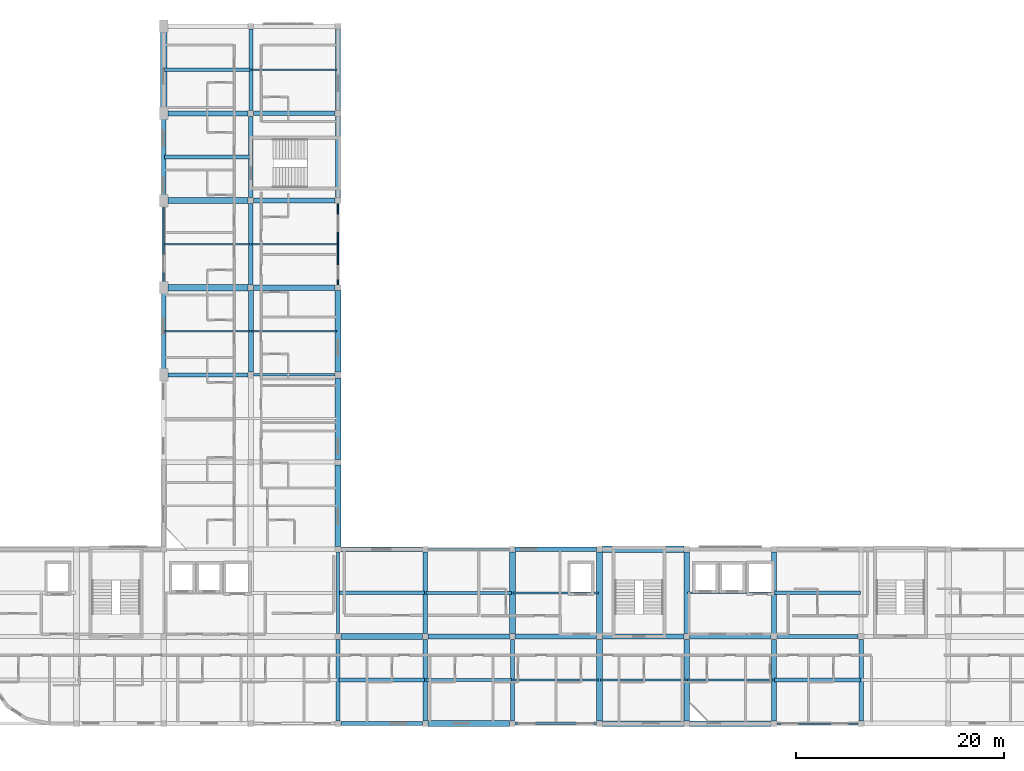
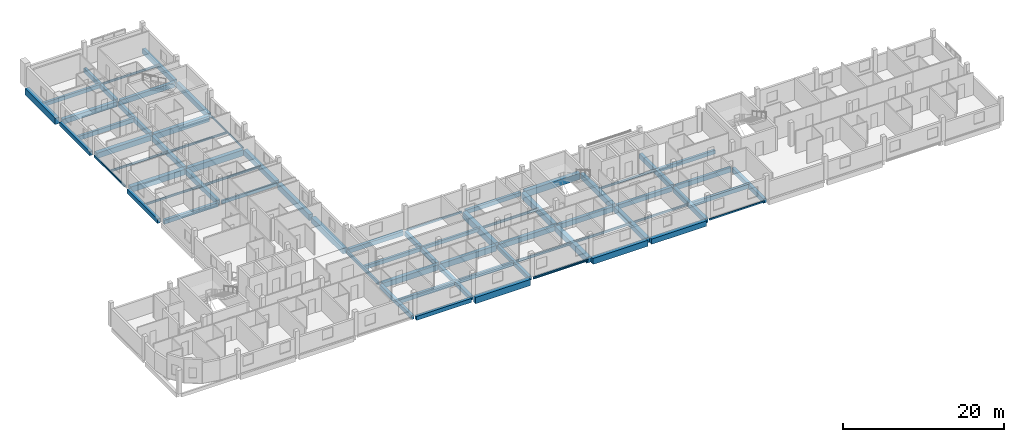
# One storey, part 3 of 20: 69 beams.
"""IFC4 building model written with IfcOpenShell, lengths in metres."""

import ifcopenshell
import ifcopenshell.guid

model = None  # the IFC model being written
_history = None  # IfcOwnerHistory: only IFC2X3 demands one
_inside = {}  # id of a spatial element -> (the spatial element, [elements in it])
_under = {}  # id of a project, library or spatial element -> (it, [spatial elements below it])
_declared = {}  # id of a project -> (the project, [libraries it declares])
_typed = {}  # id of a type object -> (the type object, [elements of that type])
_made_of = {}  # id of a material, layer set ... -> (it, [elements and type objects made of it])


def new_model(schema):
    """Start an empty IFC model of exactly this schema.

    Asked for "IFC4X3", IfcOpenShell would pick the latest addendum, in which some entities
    have other attributes; the version numbers below select the first issue.
    IFC2X3 requires an IfcOwnerHistory on every rooted entity: one is made here for all.
    """
    global model, _history
    if schema == "IFC4X3":
        model = ifcopenshell.file(schema_version=(4, 3, 0, 0))
    else:
        model = ifcopenshell.file(schema=schema)
    _inside.clear()
    _under.clear()
    _declared.clear()
    _typed.clear()
    _made_of.clear()
    _history = None
    if model.schema == "IFC2X3":
        org = make("IfcOrganization", Name="unknown")
        user = make(
            "IfcPersonAndOrganization",
            ThePerson=make("IfcPerson", FamilyName="unknown"),
            TheOrganization=org,
        )
        app = make(
            "IfcApplication",
            ApplicationDeveloper=org,
            Version="unknown",
            ApplicationFullName="unknown",
            ApplicationIdentifier="unknown",
        )
        _history = make(
            "IfcOwnerHistory",
            OwningUser=user,
            OwningApplication=app,
            ChangeAction="ADDED",
            CreationDate=0,
        )
    return model


def make(cls, **values):
    """One entity of the class cls with the attributes given. An attribute that is None is left unset."""
    return model.create_entity(
        cls, **{name: value for name, value in values.items() if value is not None}
    )


def rooted(cls, **values):
    """An entity with a GlobalId (a new one), such as an element, a storey or a relation."""
    return make(cls, GlobalId=ifcopenshell.guid.new(), OwnerHistory=_history, **values)


def si_unit(unit_type, name, prefix=None):
    """IfcSIUnit, for example si_unit("LENGTHUNIT", "METRE", prefix="MILLI")."""
    return make("IfcSIUnit", UnitType=unit_type, Prefix=prefix, Name=name)


def derived_unit(unit_type, elements):
    """IfcDerivedUnit: a product of units, each with its exponent."""
    return make(
        "IfcDerivedUnit",
        Elements=[
            make("IfcDerivedUnitElement", Unit=unit, Exponent=power)
            for unit, power in elements
        ],
        UnitType=unit_type,
    )


def assignment(units):
    """IfcUnitAssignment: the units of a project."""
    return None if units is None else make("IfcUnitAssignment", Units=units)


def point(xyz):
    """IfcCartesianPoint."""
    return None if xyz is None else make("IfcCartesianPoint", Coordinates=xyz)


def direction(xyz):
    """IfcDirection."""
    return None if xyz is None else make("IfcDirection", DirectionRatios=xyz)


def frame(location, z_axis=None, x_axis=None):
    """IfcAxis2Placement3D, a coordinate frame: its origin and axes. An axis left out is left unset."""
    return make(
        "IfcAxis2Placement3D",
        Location=point(location),
        Axis=direction(z_axis),
        RefDirection=direction(x_axis),
    )


def frame_2d(location, x_axis=None):
    """IfcAxis2Placement2D, a coordinate frame in the plane: its origin and x axis."""
    return make(
        "IfcAxis2Placement2D", Location=point(location), RefDirection=direction(x_axis)
    )


def origin():
    """The frame at (0, 0, 0) with its axes left unset."""
    return frame((0.0, 0.0, 0.0))


def origin_2d():
    """The frame at (0, 0) in the plane with its x axis left unset."""
    return frame_2d((0.0, 0.0))


def place(relative_to, where):
    """IfcLocalPlacement: puts the frame where relative to a parent placement (None: the world)."""
    return make(
        "IfcLocalPlacement", PlacementRelTo=relative_to, RelativePlacement=where
    )


def context(
    kind, dimensions, precision=None, world=None, true_north=None, identifier=None
):
    """IfcGeometricRepresentationContext, for example the 3D "Model" context."""
    return make(
        "IfcGeometricRepresentationContext",
        ContextIdentifier=identifier,
        ContextType=kind,
        CoordinateSpaceDimension=dimensions,
        Precision=precision,
        WorldCoordinateSystem=world,
        TrueNorth=true_north,
    )


def subcontext(parent, identifier, kind, view, scale=None):
    """IfcGeometricRepresentationSubContext, for example "Body" below "Model"."""
    return make(
        "IfcGeometricRepresentationSubContext",
        ContextIdentifier=identifier,
        ContextType=kind,
        ParentContext=parent,
        TargetScale=scale,
        TargetView=view,
    )


def project(units=None, contexts=None):
    """IfcProject with its units and contexts."""
    return rooted(
        "IfcProject",
        Name="project",
        RepresentationContexts=contexts,
        UnitsInContext=assignment(units),
    )


def spatial(cls, under=None, at=None, **own):
    """A site, building, storey or space (cls), placed at a placement, below another one or the project."""
    s = rooted(cls, ObjectPlacement=at, **own)
    if under is not None:
        _under.setdefault(under.id(), (under, []))[1].append(s)
    return s


def profile(cls, at=None, kind="AREA", **sizes):
    """A parametric profile (cls). Its sizes go by their IFC names, for example OverallWidth=200.0."""
    return make(cls, ProfileType=kind, Position=at, **sizes)


def rectangle(**sizes):
    """IfcRectangleProfileDef."""
    return profile("IfcRectangleProfileDef", **sizes)


def hollow_rectangle(**sizes):
    """IfcRectangleHollowProfileDef."""
    return profile("IfcRectangleHollowProfileDef", **sizes)


def i_section(**sizes):
    """IfcIShapeProfileDef."""
    return profile("IfcIShapeProfileDef", **sizes)


def extrude(swept, where, along, depth):
    """IfcExtrudedAreaSolid: the profile swept, set in the frame where, extruded along a direction by depth."""
    return make(
        "IfcExtrudedAreaSolid",
        SweptArea=swept,
        Position=where,
        ExtrudedDirection=direction(along),
        Depth=depth,
    )


def shape(context_of_items, identifier, shape_type, items):
    """IfcShapeRepresentation: the items that make up one representation, for example the "Body"."""
    return make(
        "IfcShapeRepresentation",
        ContextOfItems=context_of_items,
        RepresentationIdentifier=identifier,
        RepresentationType=shape_type,
        Items=items,
    )


def material(Name=None, Category=None):
    """IfcMaterial."""
    return make("IfcMaterial", Name=Name, Category=Category)


def material_profile(
    of_material, cross_section, Name=None, Category=None, Priority=None
):
    """IfcMaterialProfile: a cross section and its material."""
    return make(
        "IfcMaterialProfile",
        Name=Name,
        Material=of_material,
        Profile=cross_section,
        Priority=Priority,
        Category=Category,
    )


def profile_set(profiles, Name=None, composite=None):
    """IfcMaterialProfileSet."""
    return make(
        "IfcMaterialProfileSet",
        Name=Name,
        MaterialProfiles=profiles,
        CompositeProfile=composite,
    )


def made_of(thing, what):
    """Note that an element or type object is made of a material, layer set ...; save() writes the relation."""
    if what is not None:
        _made_of.setdefault(what.id(), (what, []))[1].append(thing)
    return thing


def type_object(cls, material=None, **own):
    """A type object (cls), such as IfcWallType, which elements share."""
    return made_of(rooted(cls, **own), material)


def element(
    cls,
    number,
    at=None,
    inside=None,
    cuts=None,
    type_object=None,
    material=None,
    context=None,
    identifier="Body",
    shape_type=None,
    held_by="IfcProductDefinitionShape",
    body=None,
    shapes=None,
    **own,
):
    """One element of the class cls, such as IfcWall. Its Tag is "e" and its number.

    at: its placement. inside: the storey or other place that contains it. cuts: it is an
    opening in that element (IfcRelVoidsElement). A single representation is given by context,
    identifier, shape_type and body (its items); several are given by shapes. held_by: the class
    of the entity that holds the representations. save() writes the other relations.
    """
    e = rooted(cls, Tag="e%d" % number, ObjectPlacement=at, **own)
    if body is not None:
        shapes = [shape(context, identifier, shape_type, body)]
    if shapes is not None:
        e.Representation = make(held_by, Representations=shapes)
    if inside is not None:
        _inside.setdefault(inside.id(), (inside, []))[1].append(e)
    if cuts is not None:
        rooted(
            "IfcRelVoidsElement", RelatingBuildingElement=cuts, RelatedOpeningElement=e
        )
    if type_object is not None:
        _typed.setdefault(type_object.id(), (type_object, []))[1].append(e)
    return made_of(e, material)


def aggregate(whole, parts):
    """IfcRelAggregates: a whole, such as a stair, and the parts it consists of."""
    return rooted("IfcRelAggregates", RelatingObject=whole, RelatedObjects=parts)


def save(model, path):
    """Write the relations noted so far, then the file.

    IfcRelAggregates (storeys below a building ...), IfcRelContainedInSpatialStructure (elements
    in a storey), IfcRelDefinesByType, IfcRelAssociatesMaterial and IfcRelDeclares: one each for
    every whole, place, type object, material and project.
    """
    for whole, parts in _under.values():
        aggregate(whole, parts)
    for where, things in _inside.values():
        rooted(
            "IfcRelContainedInSpatialStructure",
            RelatedElements=things,
            RelatingStructure=where,
        )
    for kind, things in _typed.values():
        rooted("IfcRelDefinesByType", RelatedObjects=things, RelatingType=kind)
    for what, things in _made_of.values():
        rooted("IfcRelAssociatesMaterial", RelatedObjects=things, RelatingMaterial=what)
    for by, libraries in _declared.values():
        rooted("IfcRelDeclares", RelatingContext=by, RelatedDefinitions=libraries)
    model.write(path)


model = new_model("IFC4")

# Units and contexts
model_context = context("Model", 3, precision=1e-05, world=origin(), true_north=direction((0.0, 1.0)))
body_context = subcontext(model_context, "Body", "Model", "MODEL_VIEW")
ifc_project = project(units=[si_unit("LENGTHUNIT", "METRE"), si_unit("AREAUNIT", "SQUARE_METRE"), si_unit("VOLUMEUNIT", "CUBIC_METRE"), si_unit("PLANEANGLEUNIT", "RADIAN"), si_unit("MASSUNIT", "GRAM", prefix="KILO"), derived_unit("THERMALTRANSMITTANCEUNIT", [(si_unit("POWERUNIT", "WATT"), 1), (si_unit("LENGTHUNIT", "METRE"), -2), (si_unit("THERMODYNAMICTEMPERATUREUNIT", "KELVIN"), -1)])], contexts=[model_context])

# Site, building, storey
site_placement = place(None, origin())
site = spatial("IfcSite", under=ifc_project, at=site_placement, CompositionType="ELEMENT")
building_placement = place(site_placement, origin())
building = spatial("IfcBuilding", under=site, at=building_placement, Name="Barrovel Congress Hotel", CompositionType="ELEMENT")
storey_placement = place(building_placement, frame((0.0, 0.0, 36.300048828125)))
storey = spatial("IfcBuildingStorey", under=building, at=storey_placement, Name="L09", CompositionType="ELEMENT", Elevation=36.300048828125)

# Beams
ifc_material_1 = material(Name="Concrete C40", Category="concrete")
ifc_material_profile_1 = material_profile(ifc_material_1, rectangle(XDim=0.25, YDim=0.5, at=origin_2d()), Name="RC250x500")
ifc_profile_set_1 = profile_set([ifc_material_profile_1], Name="Concrete C40")
beam_type_1 = type_object("IfcBeamType", Name="BM-RC250x500", PredefinedType="SPANDREL", material=ifc_profile_set_1)
for number, where, z_axis, x_axis, name in (
    (1, (42.27490234375, 37.800048828125, -0.469970703125), (1.0, 0.0, 0.0), (0.0, 1.0, 0.0), "BMX:L09:37.8:42.0-50.4"),
    (2, (50.39990234375, 12.875, -0.469970703125), (0.0, 1.0, 0.0), (-1.0, 0.0, 0.0), "BMY:L09:50.4:12.6-21.0"),
):
    element("IfcBeam", number, at=place(storey_placement, frame(where, z_axis=z_axis, x_axis=x_axis)), inside=storey, type_object=beam_type_1, Name=name, PredefinedType="SPANDREL", context=body_context, shape_type="SweptSolid", body=[
        extrude(rectangle(XDim=0.25, YDim=0.5, at=origin_2d()), origin(), (0.0, 0.0, 1.0), 7.85009765625),
    ])
ifc_material_profile_2 = material_profile(ifc_material_1, rectangle(XDim=0.300048828125, YDim=0.5, at=origin_2d()), Name="RC300x500")
ifc_profile_set_2 = profile_set([ifc_material_profile_2], Name="Concrete C40")
beam_type_2 = type_object("IfcBeamType", Name="BM-RC300x500", PredefinedType="JOIST", material=ifc_profile_set_2)
beam_1_placement = place(storey_placement, frame((58.8798828125, 16.800048828125, -0.469970703125), z_axis=(1.0, 0.0, 0.0), x_axis=(0.0, 1.0, 0.0)))
element("IfcBeam", 3, at=beam_1_placement, inside=storey, type_object=beam_type_2, Name="JST:L09:58.8:16.8", PredefinedType="JOIST", context=body_context, shape_type="SweptSolid", body=[
    extrude(rectangle(XDim=0.300048828125, YDim=0.5, at=origin_2d()), origin(), (0.0, 0.0, 1.0), 8.240234375),
])
ifc_material_profile_3 = material_profile(ifc_material_1, rectangle(XDim=0.300048828125, YDim=0.60009765625, at=origin_2d()), Name="RC300x600")
ifc_profile_set_3 = profile_set([ifc_material_profile_3], Name="Concrete C40")
beam_type_3 = type_object("IfcBeamType", Name="BM-RC300x600", PredefinedType="JOIST", material=ifc_profile_set_3)
beam_2_placement = place(storey_placement, frame((58.8798828125, 8.39990234375, -0.52001953125), z_axis=(1.0, 0.0, 0.0), x_axis=(0.0, 1.0, 0.0)))
element("IfcBeam", 4, at=beam_2_placement, inside=storey, type_object=beam_type_3, Name="JST:L09:58.8:8.4", PredefinedType="JOIST", context=body_context, shape_type="SweptSolid", body=[
    extrude(rectangle(XDim=0.300048828125, YDim=0.60009765625, at=origin_2d()), origin(), (0.0, 0.0, 1.0), 8.240234375),
])
ifc_material_profile_4 = material_profile(ifc_material_1, rectangle(XDim=0.35009765625, YDim=0.550048828125, at=origin_2d()), Name="RC350x550")
ifc_profile_set_4 = profile_set([ifc_material_profile_4], Name="Concrete C40")
beam_type_4 = type_object("IfcBeamType", Name="BM-RC350x550", PredefinedType="JOIST", material=ifc_profile_set_4)
for number, where, z_axis, x_axis, name in (
    (5, (33.679931640625, 67.199951171875, -0.4951171875), (1.0, 0.0, 0.0), (0.0, 1.0, 0.0), "JST:L09:33.6:67.2"),
    (6, (50.47998046875, 16.800048828125, -0.4951171875), (1.0, 0.0, 0.0), (0.0, 1.0, 0.0), "JST:L09:50.4:16.8"),
    (7, (92.47998046875, 16.800048828125, -0.4951171875), (1.0, 0.0, 0.0), (0.0, 1.0, 0.0), "JST:L09:92.4:16.8"),
):
    element("IfcBeam", number, at=place(storey_placement, frame(where, z_axis=z_axis, x_axis=x_axis)), inside=storey, type_object=beam_type_4, Name=name, PredefinedType="JOIST", context=body_context, shape_type="SweptSolid", body=[
        extrude(rectangle(XDim=0.35009765625, YDim=0.550048828125, at=origin_2d()), origin(), (0.0, 0.0, 1.0), 8.239990234375),
    ])
ifc_material_profile_5 = material_profile(ifc_material_1, rectangle(XDim=0.35009765625, YDim=0.64990234375, at=origin_2d()), Name="RC350x650")
ifc_profile_set_5 = profile_set([ifc_material_profile_5], Name="Concrete C40")
beam_type_5 = type_object("IfcBeamType", Name="BM-RC350x650", PredefinedType="JOIST", material=ifc_profile_set_5)
for number, where, z_axis, x_axis, name in (
    (8, (33.679931640625, 58.800048828125, -0.545166015625), (1.0, 0.0, 0.0), (0.0, 1.0, 0.0), "JST:L09:33.6:58.8"),
    (9, (50.47998046875, 8.39990234375, -0.545166015625), (1.0, 0.0, 0.0), (0.0, 1.0, 0.0), "JST:L09:50.4:8.4"),
    (10, (92.47998046875, 8.39990234375, -0.545166015625), (1.0, 0.0, 0.0), (0.0, 1.0, 0.0), "JST:L09:92.4:8.4"),
):
    element("IfcBeam", number, at=place(storey_placement, frame(where, z_axis=z_axis, x_axis=x_axis)), inside=storey, type_object=beam_type_5, Name=name, PredefinedType="JOIST", context=body_context, shape_type="SweptSolid", body=[
        extrude(rectangle(XDim=0.35009765625, YDim=0.64990234375, at=origin_2d()), origin(), (0.0, 0.0, 1.0), 8.239990234375),
    ])
ifc_material_profile_6 = material_profile(ifc_material_1, rectangle(XDim=0.39990234375, YDim=0.60009765625, at=origin_2d()), Name="RC400x600")
ifc_profile_set_6 = profile_set([ifc_material_profile_6], Name="Concrete C40")
beam_type_6 = type_object("IfcBeamType", Name="BM-RC400x600", PredefinedType="BEAM", material=ifc_profile_set_6)
for number, where, z_axis, x_axis, name in (
    (11, (50.675048828125, 4.199951171875, -0.52001953125), (1.0, 0.0, 0.0), (0.0, 1.0, 0.0), "BMX:L09:4.2:50.4-58.8"),
    (12, (67.47509765625, 21.0, -0.52001953125), (1.0, 0.0, 0.0), (0.0, 1.0, 0.0), "BMX:L09:21.0:67.2-75.6"),
):
    element("IfcBeam", number, at=place(storey_placement, frame(where, z_axis=z_axis, x_axis=x_axis)), inside=storey, type_object=beam_type_6, Name=name, PredefinedType="BEAM", context=body_context, shape_type="SweptSolid", body=[
        extrude(rectangle(XDim=0.39990234375, YDim=0.60009765625, at=origin_2d()), origin(), (0.0, 0.0, 1.0), 7.849853515625),
    ])
beam_3_placement = place(storey_placement, frame((34.0, 37.800048828125, -0.52001953125), z_axis=(1.0, 0.0, 0.0), x_axis=(0.0, 1.0, 0.0)))
element("IfcBeam", 13, at=beam_3_placement, inside=storey, type_object=beam_type_6, Name="BMX:L09:37.8:33.6-42.0", PredefinedType="BEAM", context=body_context, shape_type="SweptSolid", body=[
    extrude(rectangle(XDim=0.39990234375, YDim=0.60009765625, at=origin_2d()), origin(), (0.0, 0.0, 1.0), 7.72509765625),
])
beam_4_placement = place(storey_placement, frame((33.60009765625, 55.050048828125, -0.52001953125), z_axis=(0.0, 1.0, 0.0), x_axis=(-1.0, 0.0, 0.0)))
element("IfcBeam", 14, at=beam_4_placement, inside=storey, type_object=beam_type_6, Name="BMY:L09:33.6:54.6-63.0", PredefinedType="BEAM", context=body_context, shape_type="SweptSolid", body=[
    extrude(rectangle(XDim=0.39990234375, YDim=0.60009765625, at=origin_2d()), origin(), (0.0, 0.0, 1.0), 7.5),
])
for number, where, z_axis, x_axis, name in (
    (15, (50.39990234375, 4.47509765625, -0.52001953125), (0.0, 1.0, 0.0), (-1.0, 0.0, 0.0), "BMY:L09:50.4:4.2-12.6"),
    (16, (67.199951171875, 4.47509765625, -0.52001953125), (0.0, 1.0, 0.0), (-1.0, 0.0, 0.0), "BMY:L09:67.2:4.2-12.6"),
):
    element("IfcBeam", number, at=place(storey_placement, frame(where, z_axis=z_axis, x_axis=x_axis)), inside=storey, type_object=beam_type_6, Name=name, PredefinedType="BEAM", context=body_context, shape_type="SweptSolid", body=[
        extrude(rectangle(XDim=0.39990234375, YDim=0.60009765625, at=origin_2d()), origin(), (0.0, 0.0, 1.0), 7.849853515625),
    ])
ifc_material_profile_7 = material_profile(ifc_material_1, rectangle(XDim=0.39990234375, YDim=0.699951171875, at=origin_2d()), Name="RC400x700")
ifc_profile_set_7 = profile_set([ifc_material_profile_7], Name="Concrete C40")
beam_type_7 = type_object("IfcBeamType", Name="BM-RC400x700", PredefinedType="BEAM", material=ifc_profile_set_7)
beam_5_placement = place(storey_placement, frame((92.675048828125, 12.60009765625, -0.570068359375), z_axis=(1.0, 0.0, 0.0), x_axis=(0.0, 1.0, 0.0)))
element("IfcBeam", 17, at=beam_5_placement, inside=storey, type_object=beam_type_7, Name="BMX:L09:12.6:92.4-100.8", PredefinedType="BEAM", context=body_context, shape_type="SweptSolid", body=[
    extrude(rectangle(XDim=0.39990234375, YDim=0.699951171875, at=origin_2d()), origin(), (0.0, 0.0, 1.0), 7.849853515625),
])
for number, where, z_axis, x_axis, name in (
    (18, (42.0, 63.27490234375, -0.570068359375), (0.0, 1.0, 0.0), (-1.0, 0.0, 0.0), "BMY:L09:42.0:63.0-71.4"),
    (19, (58.800048828125, 12.875, -0.570068359375), (0.0, 1.0, 0.0), (-1.0, 0.0, 0.0), "BMY:L09:58.8:12.6-21.0"),
):
    element("IfcBeam", number, at=place(storey_placement, frame(where, z_axis=z_axis, x_axis=x_axis)), inside=storey, type_object=beam_type_7, Name=name, PredefinedType="BEAM", context=body_context, shape_type="SweptSolid", body=[
        extrude(rectangle(XDim=0.39990234375, YDim=0.699951171875, at=origin_2d()), origin(), (0.0, 0.0, 1.0), 7.85009765625),
    ])
ifc_material_profile_8 = material_profile(ifc_material_1, rectangle(XDim=0.449951171875, YDim=0.64990234375, at=origin_2d()), Name="RC450x650")
ifc_profile_set_8 = profile_set([ifc_material_profile_8], Name="Concrete C40")
beam_type_8 = type_object("IfcBeamType", Name="BM-RC450x650", PredefinedType="BEAM", material=ifc_profile_set_8)
beam_6_placement = place(storey_placement, frame((84.27490234375, 12.60009765625, -0.545166015625), z_axis=(1.0, 0.0, 0.0), x_axis=(0.0, 1.0, 0.0)))
element("IfcBeam", 20, at=beam_6_placement, inside=storey, type_object=beam_type_8, Name="BMX:L09:12.6:84.0-92.4", PredefinedType="BEAM", context=body_context, shape_type="SweptSolid", body=[
    extrude(rectangle(XDim=0.449951171875, YDim=0.64990234375, at=origin_2d()), origin(), (0.0, 0.0, 1.0), 7.85009765625),
])
beam_7_placement = place(storey_placement, frame((50.675048828125, 21.0, -0.545166015625), z_axis=(1.0, 0.0, 0.0), x_axis=(0.0, 1.0, 0.0)))
element("IfcBeam", 21, at=beam_7_placement, inside=storey, type_object=beam_type_8, Name="BMX:L09:21.0:50.4-58.8", PredefinedType="BEAM", context=body_context, shape_type="SweptSolid", body=[
    extrude(rectangle(XDim=0.449951171875, YDim=0.64990234375, at=origin_2d()), origin(), (0.0, 0.0, 1.0), 7.849853515625),
])
beam_8_placement = place(storey_placement, frame((33.60009765625, 38.25, -0.545166015625), z_axis=(0.0, 1.0, 0.0), x_axis=(-1.0, 0.0, 0.0)))
element("IfcBeam", 22, at=beam_8_placement, inside=storey, type_object=beam_type_8, Name="BMY:L09:33.6:37.8-46.2", PredefinedType="BEAM", context=body_context, shape_type="SweptSolid", body=[
    extrude(rectangle(XDim=0.449951171875, YDim=0.64990234375, at=origin_2d()), origin(), (0.0, 0.0, 1.0), 7.5),
])
beam_9_placement = place(storey_placement, frame((42.0, 54.875, -0.545166015625), z_axis=(0.0, 1.0, 0.0), x_axis=(-1.0, 0.0, 0.0)))
element("IfcBeam", 23, at=beam_9_placement, inside=storey, type_object=beam_type_8, Name="BMY:L09:42.0:54.6-63.0", PredefinedType="BEAM", context=body_context, shape_type="SweptSolid", body=[
    extrude(rectangle(XDim=0.449951171875, YDim=0.64990234375, at=origin_2d()), origin(), (0.0, 0.0, 1.0), 7.85009765625),
])
for number, where, z_axis, x_axis, name in (
    (24, (58.800048828125, 4.47509765625, -0.545166015625), (0.0, 1.0, 0.0), (-1.0, 0.0, 0.0), "BMY:L09:58.8:4.2-12.6"),
    (25, (100.800048828125, 4.47509765625, -0.545166015625), (0.0, 1.0, 0.0), (-1.0, 0.0, 0.0), "BMY:L09:100.8:4.2-12.6"),
):
    element("IfcBeam", number, at=place(storey_placement, frame(where, z_axis=z_axis, x_axis=x_axis)), inside=storey, type_object=beam_type_8, Name=name, PredefinedType="BEAM", context=body_context, shape_type="SweptSolid", body=[
        extrude(rectangle(XDim=0.449951171875, YDim=0.64990234375, at=origin_2d()), origin(), (0.0, 0.0, 1.0), 7.849853515625),
    ])
ifc_material_profile_9 = material_profile(ifc_material_1, rectangle(XDim=0.449951171875, YDim=0.75, at=origin_2d()), Name="RC450x750")
ifc_profile_set_9 = profile_set([ifc_material_profile_9], Name="Concrete C40")
beam_type_9 = type_object("IfcBeamType", Name="BM-RC450x750", PredefinedType="BEAM", material=ifc_profile_set_9)
for number, where, z_axis, x_axis, name in (
    (26, (75.875, 12.60009765625, -0.594970703125), (1.0, 0.0, 0.0), (0.0, 1.0, 0.0), "BMX:L09:12.6:75.6-84.0"),
    (27, (42.27490234375, 63.0, -0.594970703125), (1.0, 0.0, 0.0), (0.0, 1.0, 0.0), "BMX:L09:63.0:42.0-50.4"),
):
    element("IfcBeam", number, at=place(storey_placement, frame(where, z_axis=z_axis, x_axis=x_axis)), inside=storey, type_object=beam_type_9, Name=name, PredefinedType="BEAM", context=body_context, shape_type="SweptSolid", body=[
        extrude(rectangle(XDim=0.449951171875, YDim=0.75, at=origin_2d()), origin(), (0.0, 0.0, 1.0), 7.85009765625),
    ])
beam_10_placement = place(storey_placement, frame((42.0, 46.47509765625, -0.594970703125), z_axis=(0.0, 1.0, 0.0), x_axis=(-1.0, 0.0, 0.0)))
element("IfcBeam", 28, at=beam_10_placement, inside=storey, type_object=beam_type_9, Name="BMY:L09:42.0:46.2-54.6", PredefinedType="BEAM", context=body_context, shape_type="SweptSolid", body=[
    extrude(rectangle(XDim=0.449951171875, YDim=0.75, at=origin_2d()), origin(), (0.0, 0.0, 1.0), 7.849853515625),
])
for number, where, z_axis, x_axis, name in (
    (29, (50.39990234375, 63.27490234375, -0.594970703125), (0.0, 1.0, 0.0), (-1.0, 0.0, 0.0), "BMY:L09:50.4:63.0-71.4"),
    (30, (92.39990234375, 12.875, -0.594970703125), (0.0, 1.0, 0.0), (-1.0, 0.0, 0.0), "BMY:L09:92.4:12.6-21.0"),
):
    element("IfcBeam", number, at=place(storey_placement, frame(where, z_axis=z_axis, x_axis=x_axis)), inside=storey, type_object=beam_type_9, Name=name, PredefinedType="BEAM", context=body_context, shape_type="SweptSolid", body=[
        extrude(rectangle(XDim=0.449951171875, YDim=0.75, at=origin_2d()), origin(), (0.0, 0.0, 1.0), 7.85009765625),
    ])
ifc_material_profile_10 = material_profile(ifc_material_1, rectangle(XDim=0.5, YDim=0.75, at=origin_2d()), Name="RC500x750")
ifc_profile_set_10 = profile_set([ifc_material_profile_10], Name="Concrete C40")
beam_type_10 = type_object("IfcBeamType", Name="BM-RC500x750", PredefinedType="BEAM", material=ifc_profile_set_10)
beam_11_placement = place(storey_placement, frame((67.47509765625, 12.60009765625, -0.594970703125), z_axis=(1.0, 0.0, 0.0), x_axis=(0.0, 1.0, 0.0)))
element("IfcBeam", 31, at=beam_11_placement, inside=storey, type_object=beam_type_10, Name="BMX:L09:12.6:67.2-75.6", PredefinedType="BEAM", context=body_context, shape_type="SweptSolid", body=[
    extrude(rectangle(XDim=0.5, YDim=0.75, at=origin_2d()), origin(), (0.0, 0.0, 1.0), 7.849853515625),
])
beam_12_placement = place(storey_placement, frame((34.0, 63.0, -0.594970703125), z_axis=(1.0, 0.0, 0.0), x_axis=(0.0, 1.0, 0.0)))
element("IfcBeam", 32, at=beam_12_placement, inside=storey, type_object=beam_type_10, Name="BMX:L09:63.0:33.6-42.0", PredefinedType="BEAM", context=body_context, shape_type="SweptSolid", body=[
    extrude(rectangle(XDim=0.5, YDim=0.75, at=origin_2d()), origin(), (0.0, 0.0, 1.0), 7.72509765625),
])
for number, where, z_axis, x_axis, name in (
    (33, (42.0, 38.074951171875, -0.594970703125), (0.0, 1.0, 0.0), (-1.0, 0.0, 0.0), "BMY:L09:42.0:37.8-46.2"),
    (34, (50.39990234375, 54.875, -0.594970703125), (0.0, 1.0, 0.0), (-1.0, 0.0, 0.0), "BMY:L09:50.4:54.6-63.0"),
):
    element("IfcBeam", number, at=place(storey_placement, frame(where, z_axis=z_axis, x_axis=x_axis)), inside=storey, type_object=beam_type_10, Name=name, PredefinedType="BEAM", context=body_context, shape_type="SweptSolid", body=[
        extrude(rectangle(XDim=0.5, YDim=0.75, at=origin_2d()), origin(), (0.0, 0.0, 1.0), 7.85009765625),
    ])
beam_13_placement = place(storey_placement, frame((92.39990234375, 4.47509765625, -0.594970703125), z_axis=(0.0, 1.0, 0.0), x_axis=(-1.0, 0.0, 0.0)))
element("IfcBeam", 35, at=beam_13_placement, inside=storey, type_object=beam_type_10, Name="BMY:L09:92.4:4.2-12.6", PredefinedType="BEAM", context=body_context, shape_type="SweptSolid", body=[
    extrude(rectangle(XDim=0.5, YDim=0.75, at=origin_2d()), origin(), (0.0, 0.0, 1.0), 7.849853515625),
])
ifc_material_profile_11 = material_profile(ifc_material_1, rectangle(XDim=0.5, YDim=0.85009765625, at=origin_2d()), Name="RC500x850")
ifc_profile_set_11 = profile_set([ifc_material_profile_11], Name="Concrete C40")
beam_type_11 = type_object("IfcBeamType", Name="BM-RC500x850", PredefinedType="BEAM", material=ifc_profile_set_11)
for number, where, z_axis, x_axis, name in (
    (36, (59.074951171875, 12.60009765625, -0.64501953125), (1.0, 0.0, 0.0), (0.0, 1.0, 0.0), "BMX:L09:12.6:58.8-67.2"),
    (37, (42.27490234375, 54.60009765625, -0.64501953125), (1.0, 0.0, 0.0), (0.0, 1.0, 0.0), "BMX:L09:54.6:42.0-50.4"),
    (38, (84.0, 12.875, -0.64501953125), (0.0, 1.0, 0.0), (-1.0, 0.0, 0.0), "BMY:L09:84.0:12.6-21.0"),
):
    element("IfcBeam", number, at=place(storey_placement, frame(where, z_axis=z_axis, x_axis=x_axis)), inside=storey, type_object=beam_type_11, Name=name, PredefinedType="BEAM", context=body_context, shape_type="SweptSolid", body=[
        extrude(rectangle(XDim=0.5, YDim=0.85009765625, at=origin_2d()), origin(), (0.0, 0.0, 1.0), 7.85009765625),
    ])
ifc_material_profile_12 = material_profile(ifc_material_1, rectangle(XDim=0.550048828125, YDim=0.800048828125, at=origin_2d()), Name="RC550x800")
ifc_profile_set_12 = profile_set([ifc_material_profile_12], Name="Concrete C40")
beam_type_12 = type_object("IfcBeamType", Name="BM-RC550x800", PredefinedType="BEAM", material=ifc_profile_set_12)
beam_14_placement = place(storey_placement, frame((84.27490234375, 4.199951171875, -0.6201171875), z_axis=(1.0, 0.0, 0.0), x_axis=(0.0, 1.0, 0.0)))
element("IfcBeam", 39, at=beam_14_placement, inside=storey, type_object=beam_type_12, Name="BMX:L09:4.2:84.0-92.4", PredefinedType="BEAM", context=body_context, shape_type="SweptSolid", body=[
    extrude(rectangle(XDim=0.550048828125, YDim=0.800048828125, at=origin_2d()), origin(), (0.0, 0.0, 1.0), 7.85009765625),
])
beam_15_placement = place(storey_placement, frame((50.675048828125, 12.60009765625, -0.6201171875), z_axis=(1.0, 0.0, 0.0), x_axis=(0.0, 1.0, 0.0)))
element("IfcBeam", 40, at=beam_15_placement, inside=storey, type_object=beam_type_12, Name="BMX:L09:12.6:50.4-58.8", PredefinedType="BEAM", context=body_context, shape_type="SweptSolid", body=[
    extrude(rectangle(XDim=0.550048828125, YDim=0.800048828125, at=origin_2d()), origin(), (0.0, 0.0, 1.0), 7.849853515625),
])
beam_16_placement = place(storey_placement, frame((34.0, 54.60009765625, -0.6201171875), z_axis=(1.0, 0.0, 0.0), x_axis=(0.0, 1.0, 0.0)))
element("IfcBeam", 41, at=beam_16_placement, inside=storey, type_object=beam_type_12, Name="BMX:L09:54.6:33.6-42.0", PredefinedType="BEAM", context=body_context, shape_type="SweptSolid", body=[
    extrude(rectangle(XDim=0.550048828125, YDim=0.800048828125, at=origin_2d()), origin(), (0.0, 0.0, 1.0), 7.72509765625),
])
beam_17_placement = place(storey_placement, frame((50.39990234375, 38.074951171875, -0.6201171875), z_axis=(0.0, 1.0, 0.0), x_axis=(-1.0, 0.0, 0.0)))
element("IfcBeam", 42, at=beam_17_placement, inside=storey, type_object=beam_type_12, Name="BMY:L09:50.4:37.8-46.2", PredefinedType="BEAM", context=body_context, shape_type="SweptSolid", body=[
    extrude(rectangle(XDim=0.550048828125, YDim=0.800048828125, at=origin_2d()), origin(), (0.0, 0.0, 1.0), 7.85009765625),
])
beam_18_placement = place(storey_placement, frame((84.0, 4.47509765625, -0.6201171875), z_axis=(0.0, 1.0, 0.0), x_axis=(-1.0, 0.0, 0.0)))
element("IfcBeam", 43, at=beam_18_placement, inside=storey, type_object=beam_type_12, Name="BMY:L09:84.0:4.2-12.6", PredefinedType="BEAM", context=body_context, shape_type="SweptSolid", body=[
    extrude(rectangle(XDim=0.550048828125, YDim=0.800048828125, at=origin_2d()), origin(), (0.0, 0.0, 1.0), 7.849853515625),
])
ifc_material_profile_13 = material_profile(ifc_material_1, rectangle(XDim=0.550048828125, YDim=0.89990234375, at=origin_2d()), Name="RC550x900")
ifc_profile_set_13 = profile_set([ifc_material_profile_13], Name="Concrete C40")
beam_type_13 = type_object("IfcBeamType", Name="BM-RC550x900", PredefinedType="BEAM", material=ifc_profile_set_13)
for number, where, z_axis, x_axis, name in (
    (44, (75.875, 4.199951171875, -0.670166015625), (1.0, 0.0, 0.0), (0.0, 1.0, 0.0), "BMX:L09:4.2:75.6-84.0"),
    (45, (42.27490234375, 46.199951171875, -0.670166015625), (1.0, 0.0, 0.0), (0.0, 1.0, 0.0), "BMX:L09:46.2:42.0-50.4"),
):
    element("IfcBeam", number, at=place(storey_placement, frame(where, z_axis=z_axis, x_axis=x_axis)), inside=storey, type_object=beam_type_13, Name=name, PredefinedType="BEAM", context=body_context, shape_type="SweptSolid", body=[
        extrude(rectangle(XDim=0.550048828125, YDim=0.89990234375, at=origin_2d()), origin(), (0.0, 0.0, 1.0), 7.85009765625),
    ])
beam_19_placement = place(storey_placement, frame((50.39990234375, 29.675048828125, -0.670166015625), z_axis=(0.0, 1.0, 0.0), x_axis=(-1.0, 0.0, 0.0)))
element("IfcBeam", 46, at=beam_19_placement, inside=storey, type_object=beam_type_13, Name="BMY:L09:50.4:29.4-37.8", PredefinedType="BEAM", context=body_context, shape_type="SweptSolid", body=[
    extrude(rectangle(XDim=0.550048828125, YDim=0.89990234375, at=origin_2d()), origin(), (0.0, 0.0, 1.0), 7.849853515625),
])
beam_20_placement = place(storey_placement, frame((75.60009765625, 12.875, -0.670166015625), z_axis=(0.0, 1.0, 0.0), x_axis=(-1.0, 0.0, 0.0)))
element("IfcBeam", 47, at=beam_20_placement, inside=storey, type_object=beam_type_13, Name="BMY:L09:75.6:12.6-21.0", PredefinedType="BEAM", context=body_context, shape_type="SweptSolid", body=[
    extrude(rectangle(XDim=0.550048828125, YDim=0.89990234375, at=origin_2d()), origin(), (0.0, 0.0, 1.0), 7.85009765625),
])
ifc_material_profile_14 = material_profile(ifc_material_1, rectangle(XDim=0.60009765625, YDim=0.85009765625, at=origin_2d()), Name="RC600x850")
ifc_profile_set_14 = profile_set([ifc_material_profile_14], Name="Concrete C40")
beam_type_14 = type_object("IfcBeamType", Name="BM-RC600x850", PredefinedType="BEAM", material=ifc_profile_set_14)
beam_21_placement = place(storey_placement, frame((34.0, 46.199951171875, -0.64501953125), z_axis=(1.0, 0.0, 0.0), x_axis=(0.0, 1.0, 0.0)))
element("IfcBeam", 48, at=beam_21_placement, inside=storey, type_object=beam_type_14, Name="BMX:L09:46.2:33.6-42.0", PredefinedType="BEAM", context=body_context, shape_type="SweptSolid", body=[
    extrude(rectangle(XDim=0.60009765625, YDim=0.85009765625, at=origin_2d()), origin(), (0.0, 0.0, 1.0), 7.72509765625),
])
beam_22_placement = place(storey_placement, frame((50.39990234375, 21.27490234375, -0.64501953125), z_axis=(0.0, 1.0, 0.0), x_axis=(-1.0, 0.0, 0.0)))
element("IfcBeam", 49, at=beam_22_placement, inside=storey, type_object=beam_type_14, Name="BMY:L09:50.4:21.0-29.4", PredefinedType="BEAM", context=body_context, shape_type="SweptSolid", body=[
    extrude(rectangle(XDim=0.60009765625, YDim=0.85009765625, at=origin_2d()), origin(), (0.0, 0.0, 1.0), 7.85009765625),
])
beam_23_placement = place(storey_placement, frame((75.60009765625, 4.47509765625, -0.64501953125), z_axis=(0.0, 1.0, 0.0), x_axis=(-1.0, 0.0, 0.0)))
element("IfcBeam", 50, at=beam_23_placement, inside=storey, type_object=beam_type_14, Name="BMY:L09:75.6:4.2-12.6", PredefinedType="BEAM", context=body_context, shape_type="SweptSolid", body=[
    extrude(rectangle(XDim=0.60009765625, YDim=0.85009765625, at=origin_2d()), origin(), (0.0, 0.0, 1.0), 7.849853515625),
])
ifc_material_profile_15 = material_profile(ifc_material_1, rectangle(XDim=0.60009765625, YDim=0.949951171875, at=origin_2d()), Name="RC600x950")
ifc_profile_set_15 = profile_set([ifc_material_profile_15], Name="Concrete C40")
beam_type_15 = type_object("IfcBeamType", Name="BM-RC600x950", PredefinedType="BEAM", material=ifc_profile_set_15)
for number, where, z_axis, x_axis, name in (
    (51, (59.074951171875, 4.199951171875, -0.695068359375), (1.0, 0.0, 0.0), (0.0, 1.0, 0.0), "BMX:L09:4.2:58.8-67.2"),
    (52, (75.875, 21.0, -0.695068359375), (1.0, 0.0, 0.0), (0.0, 1.0, 0.0), "BMX:L09:21.0:75.6-84.0"),
):
    element("IfcBeam", number, at=place(storey_placement, frame(where, z_axis=z_axis, x_axis=x_axis)), inside=storey, type_object=beam_type_15, Name=name, PredefinedType="BEAM", context=body_context, shape_type="SweptSolid", body=[
        extrude(rectangle(XDim=0.60009765625, YDim=0.949951171875, at=origin_2d()), origin(), (0.0, 0.0, 1.0), 7.85009765625),
    ])
beam_24_placement = place(storey_placement, frame((33.60009765625, 63.449951171875, -0.695068359375), z_axis=(0.0, 1.0, 0.0), x_axis=(-1.0, 0.0, 0.0)))
element("IfcBeam", 53, at=beam_24_placement, inside=storey, type_object=beam_type_15, Name="BMY:L09:33.6:63.0-71.4", PredefinedType="BEAM", context=body_context, shape_type="SweptSolid", body=[
    extrude(rectangle(XDim=0.60009765625, YDim=0.949951171875, at=origin_2d()), origin(), (0.0, 0.0, 1.0), 7.5),
])
beam_25_placement = place(storey_placement, frame((67.199951171875, 12.875, -0.695068359375), z_axis=(0.0, 1.0, 0.0), x_axis=(-1.0, 0.0, 0.0)))
element("IfcBeam", 54, at=beam_25_placement, inside=storey, type_object=beam_type_15, Name="BMY:L09:67.2:12.6-21.0", PredefinedType="BEAM", context=body_context, shape_type="SweptSolid", body=[
    extrude(rectangle(XDim=0.60009765625, YDim=0.949951171875, at=origin_2d()), origin(), (0.0, 0.0, 1.0), 7.85009765625),
])
ifc_material_2 = material(Name="Steel ASTM A500 Grade C", Category="steel")
ifc_material_profile_16 = material_profile(ifc_material_2, hollow_rectangle(XDim=0.15234375, YDim=0.25390625, WallThickness=0.0087890625, InnerFilletRadius=0.0087890625, OuterFilletRadius=0.017578125, at=origin_2d()), Name="HSS254x152x9.5")
ifc_profile_set_16 = profile_set([ifc_material_profile_16], Name="Steel ASTM A500 Grade C")
beam_type_16 = type_object("IfcBeamType", Name="SBM-HSS254x152x9.5", PredefinedType="SPANDREL", material=ifc_profile_set_16)
for number, where, z_axis, x_axis, name in (
    (55, (92.675048828125, 4.199951171875, -0.34716796875), (1.0, 0.0, 0.0), (0.0, 1.0, 0.0), "BMX:L09:4.2:92.4-100.8"),
    (56, (50.39990234375, 46.47509765625, -0.34716796875), (0.0, 1.0, 0.0), (-1.0, 0.0, 0.0), "BMY:L09:50.4:46.2-54.6"),
):
    element("IfcBeam", number, at=place(storey_placement, frame(where, z_axis=z_axis, x_axis=x_axis)), inside=storey, type_object=beam_type_16, Name=name, PredefinedType="SPANDREL", context=body_context, shape_type="SweptSolid", body=[
        extrude(hollow_rectangle(XDim=0.15234375, YDim=0.25390625, WallThickness=0.0087890625, InnerFilletRadius=0.0087890625, OuterFilletRadius=0.017578125, at=origin_2d()), origin(), (0.0, 0.0, 1.0), 7.849853515625),
    ])
ifc_material_profile_17 = material_profile(ifc_material_2, hollow_rectangle(XDim=0.203125, YDim=0.3046875, WallThickness=0.01171875, InnerFilletRadius=0.01171875, OuterFilletRadius=0.023681640625, at=origin_2d()), Name="HSS305x203x12.7")
ifc_profile_set_17 = profile_set([ifc_material_profile_17], Name="Steel ASTM A500 Grade C")
beam_type_17 = type_object("IfcBeamType", Name="SBM-HSS305x203x12.7", PredefinedType="SPANDREL", material=ifc_profile_set_17)
beam_26_placement = place(storey_placement, frame((59.074951171875, 21.0, -0.37255859375), z_axis=(1.0, 0.0, 0.0), x_axis=(0.0, 1.0, 0.0)))
element("IfcBeam", 57, at=beam_26_placement, inside=storey, type_object=beam_type_17, Name="BMX:L09:21.0:58.8-67.2", PredefinedType="SPANDREL", context=body_context, shape_type="SweptSolid", body=[
    extrude(hollow_rectangle(XDim=0.203125, YDim=0.3046875, WallThickness=0.01171875, InnerFilletRadius=0.01171875, OuterFilletRadius=0.023681640625, at=origin_2d()), origin(), (0.0, 0.0, 1.0), 7.85009765625),
])
beam_27_placement = place(storey_placement, frame((33.60009765625, 46.64990234375, -0.37255859375), z_axis=(0.0, 1.0, 0.0), x_axis=(-1.0, 0.0, 0.0)))
element("IfcBeam", 58, at=beam_27_placement, inside=storey, type_object=beam_type_17, Name="BMY:L09:33.6:46.2-54.6", PredefinedType="SPANDREL", context=body_context, shape_type="SweptSolid", body=[
    extrude(hollow_rectangle(XDim=0.203125, YDim=0.3046875, WallThickness=0.01171875, InnerFilletRadius=0.01171875, OuterFilletRadius=0.023681640625, at=origin_2d()), origin(), (0.0, 0.0, 1.0), 7.5),
])
ifc_material_3 = material(Name="Steel ASTM A992 Grade 50", Category="steel")
ifc_material_profile_18 = material_profile(ifc_material_3, i_section(OverallWidth=0.1650390625, OverallDepth=0.31005859375, WebThickness=0.005859375, FlangeThickness=0.009765625, FilletRadius=0.010986328125, at=origin_2d()), Name="W310x39")
ifc_profile_set_18 = profile_set([ifc_material_profile_18], Name="Steel ASTM A992 Grade 50")
beam_type_18 = type_object("IfcBeamType", Name="SBM-W310x39", PredefinedType="JOIST", material=ifc_profile_set_18)
for number, where, z_axis, x_axis, name in (
    (59, (33.679931640625, 50.39990234375, -0.375), (1.0, 0.0, 0.0), (0.0, 1.0, 0.0), "JST:L09:33.6:50.4"),
    (60, (42.080078125, 67.199951171875, -0.375), (1.0, 0.0, 0.0), (0.0, 1.0, 0.0), "JST:L09:42.0:67.2"),
    (61, (84.080078125, 16.800048828125, -0.375), (1.0, 0.0, 0.0), (0.0, 1.0, 0.0), "JST:L09:84.0:16.8"),
):
    element("IfcBeam", number, at=place(storey_placement, frame(where, z_axis=z_axis, x_axis=x_axis)), inside=storey, type_object=beam_type_18, Name=name, PredefinedType="JOIST", context=body_context, shape_type="SweptSolid", body=[
        extrude(i_section(OverallWidth=0.1650390625, OverallDepth=0.31005859375, WebThickness=0.005859375, FlangeThickness=0.009765625, FilletRadius=0.010986328125, at=origin_2d()), origin(), (0.0, 0.0, 1.0), 8.239990234375),
    ])
ifc_material_profile_19 = material_profile(ifc_material_3, i_section(OverallWidth=0.1669921875, OverallDepth=0.31689453125, WebThickness=0.007568359375, FlangeThickness=0.01318359375, FilletRadius=0.010986328125, at=origin_2d()), Name="W310x52")
ifc_profile_set_19 = profile_set([ifc_material_profile_19], Name="Steel ASTM A992 Grade 50")
beam_type_19 = type_object("IfcBeamType", Name="SBM-W310x52", PredefinedType="JOIST", material=ifc_profile_set_19)
for number, where, z_axis, x_axis, name in (
    (62, (33.679931640625, 42.0, -0.378662109375), (1.0, 0.0, 0.0), (0.0, 1.0, 0.0), "JST:L09:33.6:42.0"),
    (63, (42.080078125, 50.39990234375, -0.378662109375), (1.0, 0.0, 0.0), (0.0, 1.0, 0.0), "JST:L09:42.0:50.4"),
    (64, (84.080078125, 8.39990234375, -0.378662109375), (1.0, 0.0, 0.0), (0.0, 1.0, 0.0), "JST:L09:84.0:8.4"),
):
    element("IfcBeam", number, at=place(storey_placement, frame(where, z_axis=z_axis, x_axis=x_axis)), inside=storey, type_object=beam_type_19, Name=name, PredefinedType="JOIST", context=body_context, shape_type="SweptSolid", body=[
        extrude(i_section(OverallWidth=0.1669921875, OverallDepth=0.31689453125, WebThickness=0.007568359375, FlangeThickness=0.01318359375, FilletRadius=0.010986328125, at=origin_2d()), origin(), (0.0, 0.0, 1.0), 8.239990234375),
    ])
ifc_material_profile_20 = material_profile(ifc_material_3, i_section(OverallWidth=0.205078125, OverallDepth=0.31005859375, WebThickness=0.009521484375, FlangeThickness=0.016357421875, FilletRadius=0.012939453125, at=origin_2d()), Name="W310x74")
ifc_profile_set_20 = profile_set([ifc_material_profile_20], Name="Steel ASTM A992 Grade 50")
beam_type_20 = type_object("IfcBeamType", Name="SBM-W310x74", PredefinedType="SPANDREL", material=ifc_profile_set_20)
beam_28_placement = place(storey_placement, frame((67.47509765625, 4.199951171875, -0.375), z_axis=(1.0, 0.0, 0.0), x_axis=(0.0, 1.0, 0.0)))
element("IfcBeam", 65, at=beam_28_placement, inside=storey, type_object=beam_type_20, Name="BMX:L09:4.2:67.2-75.6", PredefinedType="SPANDREL", context=body_context, shape_type="SweptSolid", body=[
    extrude(i_section(OverallWidth=0.205078125, OverallDepth=0.31005859375, WebThickness=0.009521484375, FlangeThickness=0.016357421875, FilletRadius=0.012939453125, at=origin_2d()), origin(), (0.0, 0.0, 1.0), 7.849853515625),
])
ifc_material_profile_21 = material_profile(ifc_material_3, i_section(OverallWidth=0.1708984375, OverallDepth=0.35205078125, WebThickness=0.0068359375, FlangeThickness=0.009765625, FilletRadius=0.011962890625, at=origin_2d()), Name="W360x44")
ifc_profile_set_21 = profile_set([ifc_material_profile_21], Name="Steel ASTM A992 Grade 50")
beam_type_21 = type_object("IfcBeamType", Name="SBM-W360x44", PredefinedType="JOIST", material=ifc_profile_set_21)
for number, where, z_axis, x_axis, name in (
    (66, (42.080078125, 42.0, -0.39599609375), (1.0, 0.0, 0.0), (0.0, 1.0, 0.0), "JST:L09:42.0:42.0"),
    (67, (75.679931640625, 8.39990234375, -0.39599609375), (1.0, 0.0, 0.0), (0.0, 1.0, 0.0), "JST:L09:75.6:8.4"),
):
    element("IfcBeam", number, at=place(storey_placement, frame(where, z_axis=z_axis, x_axis=x_axis)), inside=storey, type_object=beam_type_21, Name=name, PredefinedType="JOIST", context=body_context, shape_type="SweptSolid", body=[
        extrude(i_section(OverallWidth=0.1708984375, OverallDepth=0.35205078125, WebThickness=0.0068359375, FlangeThickness=0.009765625, FilletRadius=0.011962890625, at=origin_2d()), origin(), (0.0, 0.0, 1.0), 8.239990234375),
    ])
ifc_material_profile_22 = material_profile(ifc_material_3, i_section(OverallWidth=0.172119140625, OverallDepth=0.35791015625, WebThickness=0.0078125, FlangeThickness=0.01318359375, FilletRadius=0.011962890625, at=origin_2d()), Name="W360x57")
ifc_profile_set_22 = profile_set([ifc_material_profile_22], Name="Steel ASTM A992 Grade 50")
beam_type_22 = type_object("IfcBeamType", Name="SBM-W360x57", PredefinedType="JOIST", material=ifc_profile_set_22)
beam_29_placement = place(storey_placement, frame((67.280029296875, 16.800048828125, -0.399169921875), z_axis=(1.0, 0.0, 0.0), x_axis=(0.0, 1.0, 0.0)))
element("IfcBeam", 68, at=beam_29_placement, inside=storey, type_object=beam_type_22, Name="JST:L09:67.2:16.8", PredefinedType="JOIST", context=body_context, shape_type="SweptSolid", body=[
    extrude(i_section(OverallWidth=0.172119140625, OverallDepth=0.35791015625, WebThickness=0.0078125, FlangeThickness=0.01318359375, FilletRadius=0.011962890625, at=origin_2d()), origin(), (0.0, 0.0, 1.0), 8.239990234375),
])
ifc_material_profile_23 = material_profile(ifc_material_3, i_section(OverallWidth=0.177001953125, OverallDepth=0.403076171875, WebThickness=0.007568359375, FlangeThickness=0.010986328125, FilletRadius=0.011962890625, at=origin_2d()), Name="W410x53")
ifc_profile_set_23 = profile_set([ifc_material_profile_23], Name="Steel ASTM A992 Grade 50")
beam_type_23 = type_object("IfcBeamType", Name="SBM-W410x53", PredefinedType="JOIST", material=ifc_profile_set_23)
beam_30_placement = place(storey_placement, frame((67.280029296875, 8.39990234375, -0.421630859375), z_axis=(1.0, 0.0, 0.0), x_axis=(0.0, 1.0, 0.0)))
element("IfcBeam", 69, at=beam_30_placement, inside=storey, type_object=beam_type_23, Name="JST:L09:67.2:8.4", PredefinedType="JOIST", context=body_context, shape_type="SweptSolid", body=[
    extrude(i_section(OverallWidth=0.177001953125, OverallDepth=0.403076171875, WebThickness=0.007568359375, FlangeThickness=0.010986328125, FilletRadius=0.011962890625, at=origin_2d()), origin(), (0.0, 0.0, 1.0), 8.239990234375),
])

save(model, "model.ifc")
